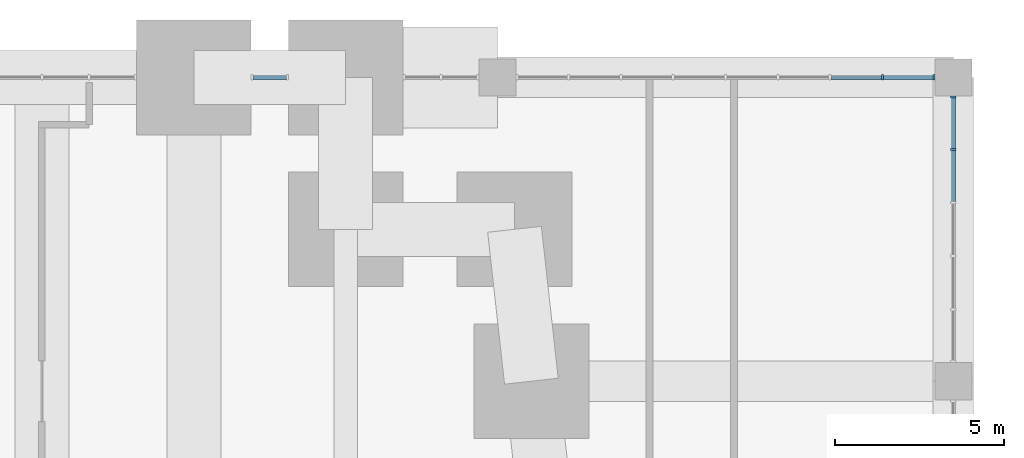
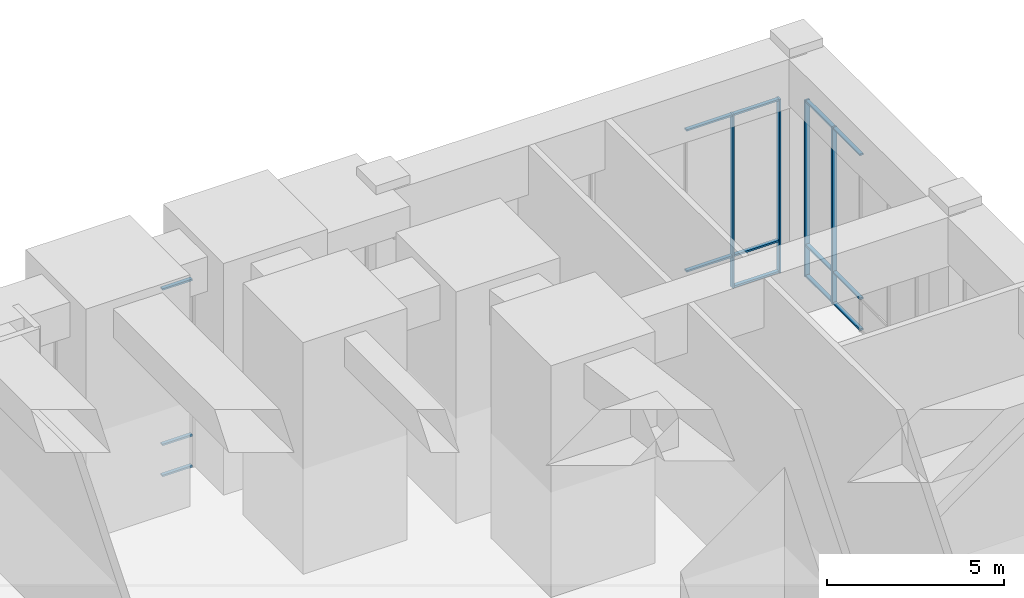
# One storey, part 13 of 26: 18 members, 3 elements without a shape of their own.
"""IFC4 building model written with IfcOpenShell, lengths in metres."""

from ifc_helpers import new_model, si_unit, direction, frame, origin, origin_2d, place, context, subcontext, project, spatial, rectangle, extrude, material, material_profile, profile_set, type_object, element, aggregate, save


model = new_model("IFC4")

# Units and contexts
model_context = context("Model", 3, precision=1e-05, world=origin(), true_north=direction((0.0, 1.0)))
body_context = subcontext(model_context, "Body", "Model", "MODEL_VIEW")
ifc_project = project(units=[si_unit("LENGTHUNIT", "METRE"), si_unit("AREAUNIT", "SQUARE_METRE"), si_unit("VOLUMEUNIT", "CUBIC_METRE"), si_unit("PLANEANGLEUNIT", "RADIAN"), si_unit("MASSUNIT", "GRAM", prefix="KILO")], contexts=[model_context])

# Site, building, storey
site_placement = place(None, origin())
site = spatial("IfcSite", under=ifc_project, at=site_placement, CompositionType="ELEMENT")
building_placement = place(site_placement, origin())
building = spatial("IfcBuilding", under=site, at=building_placement, Name="Kilele Tower Hotel", CompositionType="ELEMENT")
storey_placement = place(building_placement, frame((0.0, 0.0, 11.0)))
storey = spatial("IfcBuildingStorey", under=building, at=storey_placement, Name="L02", CompositionType="ELEMENT", Elevation=11.0)

# Curtain wall, members
ifc_material_1 = material(Name="Aluminium curtain wall, clear double glazing", Category="aluminium")
curtain_wall_type_1 = type_object("IfcCurtainWallType", Name="Podium curtain wall CW-1", PredefinedType="NOTDEFINED", material=ifc_material_1)
curtain_wall_1_placement = place(storey_placement, origin())
curtain_wall_1 = element("IfcCurtainWall", 1, at=curtain_wall_1_placement, inside=storey, type_object=curtain_wall_type_1, Name="Podium curtain wall CW-1 L02", PredefinedType="NOTDEFINED")
ifc_material_2 = material(Name="Aluminium EN AW-6063 T6", Category="aluminium")
ifc_material_profile_1 = material_profile(ifc_material_2, rectangle(XDim=0.159912109375, YDim=0.06005859375, at=origin_2d()))
ifc_profile_set_1 = profile_set([ifc_material_profile_1], Name="Aluminium EN AW-6063 T6")
member_type_1 = type_object("IfcMemberType", Name="Mullion 60x160 CW-1", PredefinedType="MULLION", material=ifc_profile_set_1)
member_1_placement = place(storey_placement, frame((57.919921875, 40.5, 0.0), z_axis=(0.0, 0.0, 1.0), x_axis=(0.0, -1.0, 0.0)))
member_1 = element("IfcMember", 2, at=member_1_placement, type_object=member_type_1, Name="CW-1 mullion 1", PredefinedType="MULLION", context=body_context, shape_type="SweptSolid", body=[
    extrude(rectangle(XDim=0.159912109375, YDim=0.06005859375, at=origin_2d()), origin(), (0.0, 0.0, 1.0), 6.0),
])
member_2_placement = place(storey_placement, frame((56.39990234375, 40.5, 0.0), z_axis=(0.0, 0.0, 1.0), x_axis=(0.0, -1.0, 0.0)))
member_2 = element("IfcMember", 3, at=member_2_placement, type_object=member_type_1, Name="CW-1 mullion 2", PredefinedType="MULLION", context=body_context, shape_type="SweptSolid", body=[
    extrude(rectangle(XDim=0.159912109375, YDim=0.06005859375, at=origin_2d()), origin(), (0.0, 0.0, 1.0), 6.0),
])

ifc_material_3 = material(Name="Aluminium curtain wall, clear double glazing", Category="aluminium")
curtain_wall_type_2 = type_object("IfcCurtainWallType", Name="Podium side curtain wall CW-2", PredefinedType="NOTDEFINED", material=ifc_material_3)
curtain_wall_2_placement = place(storey_placement, origin())
curtain_wall_2 = element("IfcCurtainWall", 4, at=curtain_wall_2_placement, inside=storey, type_object=curtain_wall_type_2, Name="Podium side curtain wall CW-2 L02", PredefinedType="NOTDEFINED")
ifc_material_4 = material(Name="Aluminium EN AW-6063 T6", Category="aluminium")
ifc_material_profile_2 = material_profile(ifc_material_4, rectangle(XDim=0.159912109375, YDim=0.06005859375, at=origin_2d()))
ifc_profile_set_2 = profile_set([ifc_material_profile_2], Name="Aluminium EN AW-6063 T6")
member_type_2 = type_object("IfcMemberType", Name="Mullion 60x160 CW-2", PredefinedType="MULLION", material=ifc_profile_set_2)
member_3_placement = place(storey_placement, frame((58.5, 38.3701171875, 0.0), z_axis=(0.0, 0.0, 1.0), x_axis=(-1.0, 0.0, 0.0)))
member_3 = element("IfcMember", 5, at=member_3_placement, type_object=member_type_2, Name="CW-2 mullion 5", PredefinedType="MULLION", context=body_context, shape_type="SweptSolid", body=[
    extrude(rectangle(XDim=0.159912109375, YDim=0.06005859375, at=origin_2d()), origin(), (0.0, 0.0, 1.0), 6.10009765625),
])
member_4_placement = place(storey_placement, frame((58.5, 39.919921875, 0.0), z_axis=(0.0, 0.0, 1.0), x_axis=(-1.0, 0.0, 0.0)))
member_4 = element("IfcMember", 6, at=member_4_placement, type_object=member_type_2, Name="CW-2 mullion 6", PredefinedType="MULLION", context=body_context, shape_type="SweptSolid", body=[
    extrude(rectangle(XDim=0.159912109375, YDim=0.06005859375, at=origin_2d()), origin(), (0.0, 0.0, 1.0), 6.10009765625),
])

# Member
ifc_material_5 = material(Name="Aluminium EN AW-6063 T6", Category="aluminium")
ifc_material_profile_3 = material_profile(ifc_material_5, rectangle(XDim=0.1201171875, YDim=0.06005859375, at=origin_2d()))
ifc_profile_set_3 = profile_set([ifc_material_profile_3], Name="Aluminium EN AW-6063 T6")
member_type_3 = type_object("IfcMemberType", Name="Transom 60x120 CW-1", PredefinedType="USERDEFINED", material=ifc_profile_set_3)
member_5_placement = place(storey_placement, frame((57.889892578125, 40.5, 0.030029296875), z_axis=(-1.0, 0.0, 0.0), x_axis=(0.0, -1.0, 0.0)))
member_5 = element("IfcMember", 7, at=member_5_placement, type_object=member_type_3, Name="CW-1 transom 1.1", ObjectType="TRANSOM", PredefinedType="USERDEFINED", context=body_context, shape_type="SweptSolid", body=[
    extrude(rectangle(XDim=0.1201171875, YDim=0.06005859375, at=origin_2d()), origin(), (0.0, 0.0, 1.0), 1.4599609375),
])

member_6_placement = place(storey_placement, frame((57.889892578125, 40.5, 1.10009765625), z_axis=(-1.0, 0.0, 0.0), x_axis=(0.0, -1.0, 0.0)))
member_6 = element("IfcMember", 8, at=member_6_placement, type_object=member_type_3, Name="CW-1 transom 1.2", ObjectType="TRANSOM", PredefinedType="USERDEFINED", context=body_context, shape_type="SweptSolid", body=[
    extrude(rectangle(XDim=0.1201171875, YDim=0.06005859375, at=origin_2d()), origin(), (0.0, 0.0, 1.0), 1.4599609375),
])

member_7_placement = place(storey_placement, frame((57.889892578125, 40.5, 5.969970703125), z_axis=(-1.0, 0.0, 0.0), x_axis=(0.0, -1.0, 0.0)))
member_7 = element("IfcMember", 9, at=member_7_placement, type_object=member_type_3, Name="CW-1 transom 1.3", ObjectType="TRANSOM", PredefinedType="USERDEFINED", context=body_context, shape_type="SweptSolid", body=[
    extrude(rectangle(XDim=0.1201171875, YDim=0.06005859375, at=origin_2d()), origin(), (0.0, 0.0, 1.0), 1.4599609375),
])

member_8_placement = place(storey_placement, frame((56.3701171875, 40.5, 1.10009765625), z_axis=(-1.0, 0.0, 0.0), x_axis=(0.0, -1.0, 0.0)))
member_8 = element("IfcMember", 10, at=member_8_placement, type_object=member_type_3, Name="CW-1 transom 2.2", ObjectType="TRANSOM", PredefinedType="USERDEFINED", context=body_context, shape_type="SweptSolid", body=[
    extrude(rectangle(XDim=0.1201171875, YDim=0.06005859375, at=origin_2d()), origin(), (0.0, 0.0, 1.0), 1.490234375),
])

member_9_placement = place(storey_placement, frame((56.3701171875, 40.5, 5.969970703125), z_axis=(-1.0, 0.0, 0.0), x_axis=(0.0, -1.0, 0.0)))
member_9 = element("IfcMember", 11, at=member_9_placement, type_object=member_type_3, Name="CW-1 transom 2.3", ObjectType="TRANSOM", PredefinedType="USERDEFINED", context=body_context, shape_type="SweptSolid", body=[
    extrude(rectangle(XDim=0.1201171875, YDim=0.06005859375, at=origin_2d()), origin(), (0.0, 0.0, 1.0), 1.490234375),
])

aggregate(curtain_wall_1, [member_1, member_2, member_5, member_6, member_7, member_8, member_9])

# Curtain wall, members
curtain_wall_3_placement = place(storey_placement, origin())
curtain_wall_3 = element("IfcCurtainWall", 12, at=curtain_wall_3_placement, inside=storey, type_object=curtain_wall_type_1, Name="Podium curtain wall CW-1 L02", PredefinedType="NOTDEFINED")
member_10_placement = place(storey_placement, frame((38.739990234375, 40.5, 0.030029296875), z_axis=(-1.0, 0.0, 0.0), x_axis=(0.0, -1.0, 0.0)))
member_10 = element("IfcMember", 13, at=member_10_placement, type_object=member_type_3, Name="CW-1 transom 1.1", ObjectType="TRANSOM", PredefinedType="USERDEFINED", context=body_context, shape_type="SweptSolid", body=[
    extrude(rectangle(XDim=0.1201171875, YDim=0.06005859375, at=origin_2d()), origin(), (0.0, 0.0, 1.0), 0.97998046875),
])
member_11_placement = place(storey_placement, frame((38.739990234375, 40.5, 1.10009765625), z_axis=(-1.0, 0.0, 0.0), x_axis=(0.0, -1.0, 0.0)))
member_11 = element("IfcMember", 14, at=member_11_placement, type_object=member_type_3, Name="CW-1 transom 1.2", ObjectType="TRANSOM", PredefinedType="USERDEFINED", context=body_context, shape_type="SweptSolid", body=[
    extrude(rectangle(XDim=0.1201171875, YDim=0.06005859375, at=origin_2d()), origin(), (0.0, 0.0, 1.0), 0.97998046875),
])
member_12_placement = place(storey_placement, frame((38.739990234375, 40.5, 6.469970703125), z_axis=(-1.0, 0.0, 0.0), x_axis=(0.0, -1.0, 0.0)))
member_12 = element("IfcMember", 15, at=member_12_placement, type_object=member_type_3, Name="CW-1 transom 1.3", ObjectType="TRANSOM", PredefinedType="USERDEFINED", context=body_context, shape_type="SweptSolid", body=[
    extrude(rectangle(XDim=0.1201171875, YDim=0.06005859375, at=origin_2d()), origin(), (0.0, 0.0, 1.0), 0.97998046875),
])
aggregate(curtain_wall_3, [member_10, member_11, member_12])

# Member
ifc_material_6 = material(Name="Aluminium EN AW-6063 T6", Category="aluminium")
ifc_material_profile_4 = material_profile(ifc_material_6, rectangle(XDim=0.1201171875, YDim=0.06005859375, at=origin_2d()))
ifc_profile_set_4 = profile_set([ifc_material_profile_4], Name="Aluminium EN AW-6063 T6")
member_type_4 = type_object("IfcMemberType", Name="Transom 60x120 CW-2", PredefinedType="USERDEFINED", material=ifc_profile_set_4)
member_13_placement = place(storey_placement, frame((58.5, 36.820068359375, 0.030029296875), z_axis=(0.0, 1.0, 0.0), x_axis=(-1.0, 0.0, 0.0)))
member_13 = element("IfcMember", 16, at=member_13_placement, type_object=member_type_4, Name="CW-2 transom 4.1", ObjectType="TRANSOM", PredefinedType="USERDEFINED", context=body_context, shape_type="SweptSolid", body=[
    extrude(rectangle(XDim=0.1201171875, YDim=0.06005859375, at=origin_2d()), origin(), (0.0, 0.0, 1.0), 1.52001953125),
])

member_14_placement = place(storey_placement, frame((58.5, 36.820068359375, 1.10009765625), z_axis=(0.0, 1.0, 0.0), x_axis=(-1.0, 0.0, 0.0)))
member_14 = element("IfcMember", 17, at=member_14_placement, type_object=member_type_4, Name="CW-2 transom 4.2", ObjectType="TRANSOM", PredefinedType="USERDEFINED", context=body_context, shape_type="SweptSolid", body=[
    extrude(rectangle(XDim=0.1201171875, YDim=0.06005859375, at=origin_2d()), origin(), (0.0, 0.0, 1.0), 1.52001953125),
])

member_15_placement = place(storey_placement, frame((58.5, 36.820068359375, 6.070068359375), z_axis=(0.0, 1.0, 0.0), x_axis=(-1.0, 0.0, 0.0)))
member_15 = element("IfcMember", 18, at=member_15_placement, type_object=member_type_4, Name="CW-2 transom 4.3", ObjectType="TRANSOM", PredefinedType="USERDEFINED", context=body_context, shape_type="SweptSolid", body=[
    extrude(rectangle(XDim=0.1201171875, YDim=0.06005859375, at=origin_2d()), origin(), (0.0, 0.0, 1.0), 1.52001953125),
])

member_16_placement = place(storey_placement, frame((58.5, 38.39990234375, 0.030029296875), z_axis=(0.0, 1.0, 0.0), x_axis=(-1.0, 0.0, 0.0)))
member_16 = element("IfcMember", 19, at=member_16_placement, type_object=member_type_4, Name="CW-2 transom 5.1", ObjectType="TRANSOM", PredefinedType="USERDEFINED", context=body_context, shape_type="SweptSolid", body=[
    extrude(rectangle(XDim=0.1201171875, YDim=0.06005859375, at=origin_2d()), origin(), (0.0, 0.0, 1.0), 1.489990234375),
])

member_17_placement = place(storey_placement, frame((58.5, 38.39990234375, 1.10009765625), z_axis=(0.0, 1.0, 0.0), x_axis=(-1.0, 0.0, 0.0)))
member_17 = element("IfcMember", 20, at=member_17_placement, type_object=member_type_4, Name="CW-2 transom 5.2", ObjectType="TRANSOM", PredefinedType="USERDEFINED", context=body_context, shape_type="SweptSolid", body=[
    extrude(rectangle(XDim=0.1201171875, YDim=0.06005859375, at=origin_2d()), origin(), (0.0, 0.0, 1.0), 1.489990234375),
])

member_18_placement = place(storey_placement, frame((58.5, 38.39990234375, 6.070068359375), z_axis=(0.0, 1.0, 0.0), x_axis=(-1.0, 0.0, 0.0)))
member_18 = element("IfcMember", 21, at=member_18_placement, type_object=member_type_4, Name="CW-2 transom 5.3", ObjectType="TRANSOM", PredefinedType="USERDEFINED", context=body_context, shape_type="SweptSolid", body=[
    extrude(rectangle(XDim=0.1201171875, YDim=0.06005859375, at=origin_2d()), origin(), (0.0, 0.0, 1.0), 1.489990234375),
])

aggregate(curtain_wall_2, [member_3, member_4, member_13, member_14, member_15, member_16, member_17, member_18])

save(model, "model.ifc")
